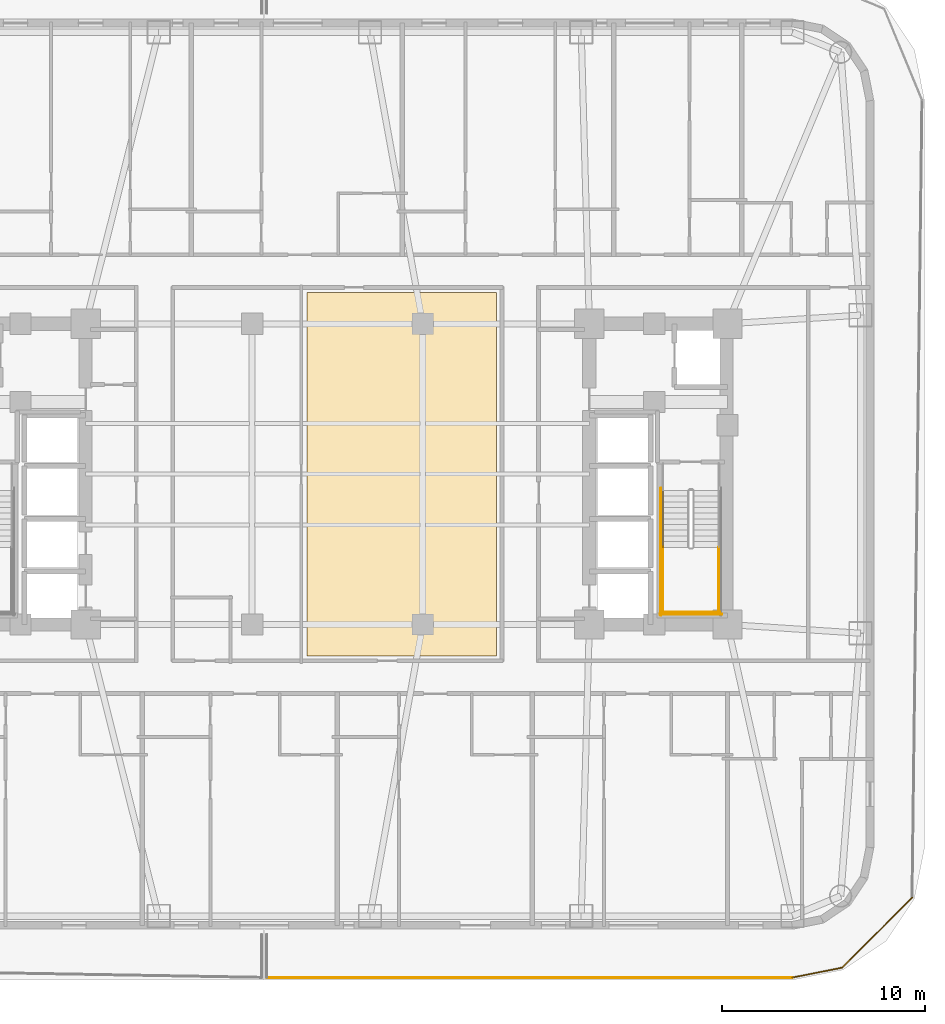
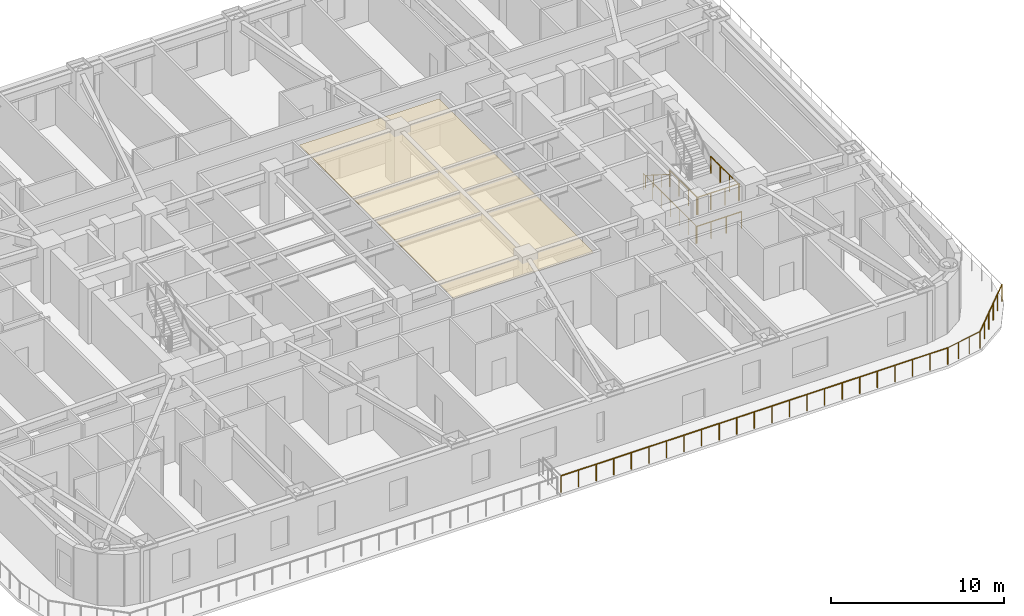
# One storey, part 12 of 14: 9 railings, 1 covering.
"""IFC4 building model written with IfcOpenShell, lengths in metres."""

from ifc_helpers import new_model, si_unit, direction, frame, origin, origin_2d, place, context, subcontext, project, spatial, polyline, circle, outline, extrude, material, layer, layer_set, type_object, element, save


model = new_model("IFC4")

# Units and contexts
model_context = context("Model", 3, precision=1e-05, world=origin(), true_north=direction((0.0, 1.0)))
body_context = subcontext(model_context, "Body", "Model", "MODEL_VIEW")
ifc_project = project(units=[si_unit("LENGTHUNIT", "METRE"), si_unit("AREAUNIT", "SQUARE_METRE"), si_unit("VOLUMEUNIT", "CUBIC_METRE"), si_unit("PLANEANGLEUNIT", "RADIAN"), si_unit("MASSUNIT", "GRAM", prefix="KILO")], contexts=[model_context])

# Site, building, storey
site_placement = place(None, origin())
site = spatial("IfcSite", under=ifc_project, at=site_placement, CompositionType="ELEMENT")
building_placement = place(site_placement, origin())
building = spatial("IfcBuilding", under=site, at=building_placement, Name="Voryun Gate Residences", CompositionType="ELEMENT")
storey_placement = place(building_placement, frame((0.0, 0.0, 53.300048828125)))
storey = spatial("IfcBuildingStorey", under=building, at=storey_placement, Name="L12", CompositionType="ELEMENT", Elevation=53.300048828125)

# Covering
ifc_material_1 = material(Name="Gypsum acoustic ceiling")
ifc_layer = layer(ifc_material_1, 0.02490234375, Name="COV_CEILING_ACOUSTIC")
ifc_layer_set = layer_set([ifc_layer], Name="Gypsum acoustic ceiling")
covering_type = type_object("IfcCoveringType", Name="COV_CEILING_ACOUSTIC", PredefinedType="CEILING", material=ifc_layer_set)
covering_placement = place(storey_placement, frame((0.0, 0.0, 3.39990234375)))
element("IfcCovering", 1, at=covering_placement, inside=storey, type_object=covering_type, Name="Acoustic ceiling CLG-L12-01", PredefinedType="CEILING", context=body_context, shape_type="SweptSolid", body=[
    extrude(outline(polyline([(-1.492919921875, 8.949951171875), (7.840087890625, 8.949951171875), (7.840087890625, -8.949951171875), (-1.492919921875, -8.949951171875), (-1.492919921875, 8.949951171875)])), origin(), (0.0, 0.0, 1.0), 0.025146484375),
])

# Railings
ifc_material_2 = material(Name="Anodised aluminium", Category="aluminium")
railing_type_1 = type_object("IfcRailingType", Name="RAIL_BALCONY_GUARD_1200", PredefinedType="GUARDRAIL", material=ifc_material_2)
railing_1_placement = place(storey_placement, frame((28.292236328125, -20.840576171875, 0.0)))
element("IfcRailing", 2, at=railing_1_placement, inside=storey, type_object=railing_type_1, Name="Terrace guard RL-L12-P2L1-04", PredefinedType="GUARDRAIL", context=body_context, shape_type="SweptSolid", body=[
    extrude(circle(Radius=0.02392578125, at=origin_2d()), frame((0.0, 0.0, 1.17578125), z_axis=(-0.707106781187, -0.707106781187, 0.0), x_axis=(0.707106781187, -0.707106781187, 0.0)), (0.0, 0.0, 1.0), 4.88134765625),
    extrude(circle(Radius=0.02099609375, at=origin_2d()), origin(), (0.0, 0.0, 1.0), 1.15185546875),
    extrude(circle(Radius=0.02099609375, at=origin_2d()), frame((-0.6904296875, -0.6904296875, 0.0)), (0.0, 0.0, 1.0), 1.15185546875),
    extrude(circle(Radius=0.02099609375, at=origin_2d()), frame((-1.380615234375, -1.380615234375, 0.0)), (0.0, 0.0, 1.0), 1.15185546875),
    extrude(circle(Radius=0.02099609375, at=origin_2d()), frame((-2.071044921875, -2.071044921875, 0.0)), (0.0, 0.0, 1.0), 1.15185546875),
    extrude(circle(Radius=0.02099609375, at=origin_2d()), frame((-2.76123046875, -2.76123046875, 0.0)), (0.0, 0.0, 1.0), 1.15185546875),
    extrude(circle(Radius=0.02099609375, at=origin_2d()), frame((-3.45166015625, -3.45166015625, 0.0)), (0.0, 0.0, 1.0), 1.15185546875),
])
railing_2_placement = place(storey_placement, frame((24.840576171875, -24.292236328125, 0.0)))
element("IfcRailing", 3, at=railing_2_placement, inside=storey, type_object=railing_type_1, Name="Terrace guard RL-L12-P2L1-05", PredefinedType="GUARDRAIL", context=body_context, shape_type="SweptSolid", body=[
    extrude(circle(Radius=0.02392578125, at=origin_2d()), frame((0.0, 0.0, 1.17578125), z_axis=(-0.980786676525, -0.195083303106, 0.0), x_axis=(0.195083303106, -0.980786676525, 0.0)), (0.0, 0.0, 1.0), 2.50048828125),
    extrude(circle(Radius=0.02099609375, at=origin_2d()), origin(), (0.0, 0.0, 1.0), 1.15185546875),
    extrude(circle(Radius=0.02099609375, at=origin_2d()), frame((-0.8173828125, -0.16259765625, 0.0)), (0.0, 0.0, 1.0), 1.15185546875),
    extrude(circle(Radius=0.02099609375, at=origin_2d()), frame((-1.635009765625, -0.3251953125, 0.0)), (0.0, 0.0, 1.0), 1.15185546875),
    extrude(circle(Radius=0.02099609375, at=origin_2d()), frame((-2.452392578125, -0.48779296875, 0.0)), (0.0, 0.0, 1.0), 1.15185546875),
])
railing_3_placement = place(storey_placement, frame((22.38818359375, -24.780029296875, 0.0)))
element("IfcRailing", 4, at=railing_3_placement, inside=storey, type_object=railing_type_1, Name="Terrace guard RL-L12-P2L1-06", PredefinedType="GUARDRAIL", context=body_context, shape_type="SweptSolid", body=[
    extrude(circle(Radius=0.02392578125, at=origin_2d()), frame((0.0, 0.0, 1.17578125), z_axis=(-1.0, 0.0, 0.0), x_axis=(0.0, -1.0, 0.0)), (0.0, 0.0, 1.0), 25.858154296875),
    extrude(circle(Radius=0.02099609375, at=origin_2d()), origin(), (0.0, 0.0, 1.0), 1.15185546875),
    extrude(circle(Radius=0.02099609375, at=origin_2d()), frame((-1.17529296875, 0.0, 0.0)), (0.0, 0.0, 1.0), 1.15185546875),
    extrude(circle(Radius=0.02099609375, at=origin_2d()), frame((-2.350830078125, 0.0, 0.0)), (0.0, 0.0, 1.0), 1.15185546875),
    extrude(circle(Radius=0.02099609375, at=origin_2d()), frame((-3.526123046875, 0.0, 0.0)), (0.0, 0.0, 1.0), 1.15185546875),
    extrude(circle(Radius=0.02099609375, at=origin_2d()), frame((-4.701416015625, 0.0, 0.0)), (0.0, 0.0, 1.0), 1.15185546875),
    extrude(circle(Radius=0.02099609375, at=origin_2d()), frame((-5.876953125, 0.0, 0.0)), (0.0, 0.0, 1.0), 1.15185546875),
    extrude(circle(Radius=0.02099609375, at=origin_2d()), frame((-7.05224609375, 0.0, 0.0)), (0.0, 0.0, 1.0), 1.15185546875),
    extrude(circle(Radius=0.02099609375, at=origin_2d()), frame((-8.2275390625, 0.0, 0.0)), (0.0, 0.0, 1.0), 1.15185546875),
    extrude(circle(Radius=0.02099609375, at=origin_2d()), frame((-9.403076171875, 0.0, 0.0)), (0.0, 0.0, 1.0), 1.15185546875),
    extrude(circle(Radius=0.02099609375, at=origin_2d()), frame((-10.578369140625, 0.0, 0.0)), (0.0, 0.0, 1.0), 1.15185546875),
    extrude(circle(Radius=0.02099609375, at=origin_2d()), frame((-11.753662109375, 0.0, 0.0)), (0.0, 0.0, 1.0), 1.15185546875),
    extrude(circle(Radius=0.02099609375, at=origin_2d()), frame((-12.92919921875, 0.0, 0.0)), (0.0, 0.0, 1.0), 1.15185546875),
    extrude(circle(Radius=0.02099609375, at=origin_2d()), frame((-14.1044921875, 0.0, 0.0)), (0.0, 0.0, 1.0), 1.15185546875),
    extrude(circle(Radius=0.02099609375, at=origin_2d()), frame((-15.27978515625, 0.0, 0.0)), (0.0, 0.0, 1.0), 1.15185546875),
    extrude(circle(Radius=0.02099609375, at=origin_2d()), frame((-16.455078125, 0.0, 0.0)), (0.0, 0.0, 1.0), 1.15185546875),
    extrude(circle(Radius=0.02099609375, at=origin_2d()), frame((-17.630615234375, 0.0, 0.0)), (0.0, 0.0, 1.0), 1.15185546875),
    extrude(circle(Radius=0.02099609375, at=origin_2d()), frame((-18.805908203125, 0.0, 0.0)), (0.0, 0.0, 1.0), 1.15185546875),
    extrude(circle(Radius=0.02099609375, at=origin_2d()), frame((-19.981201171875, 0.0, 0.0)), (0.0, 0.0, 1.0), 1.15185546875),
    extrude(circle(Radius=0.02099609375, at=origin_2d()), frame((-21.15673828125, 0.0, 0.0)), (0.0, 0.0, 1.0), 1.15185546875),
    extrude(circle(Radius=0.02099609375, at=origin_2d()), frame((-22.33203125, 0.0, 0.0)), (0.0, 0.0, 1.0), 1.15185546875),
    extrude(circle(Radius=0.02099609375, at=origin_2d()), frame((-23.50732421875, 0.0, 0.0)), (0.0, 0.0, 1.0), 1.15185546875),
    extrude(circle(Radius=0.02099609375, at=origin_2d()), frame((-24.682861328125, 0.0, 0.0)), (0.0, 0.0, 1.0), 1.15185546875),
    extrude(circle(Radius=0.02099609375, at=origin_2d()), frame((-25.858154296875, 0.0, 0.0)), (0.0, 0.0, 1.0), 1.15185546875),
])
ifc_material_3 = material(Name="Painted steel", Category="steel")
railing_type_2 = type_object("IfcRailingType", Name="RAIL_STAIR_GUARD_1200", PredefinedType="GUARDRAIL", material=ifc_material_3)
for number, where, name in (
    (5, (16.02490234375, -3.60009765625, 1.949951171875), "L12 ST-E1 stair guard 3"),
    (6, (18.77490234375, -3.60009765625, 1.949951171875), "L12 ST-E1 stair guard 4"),
):
    element("IfcRailing", number, at=place(storey_placement, frame(where)), inside=storey, type_object=railing_type_2, Name=name, PredefinedType="GUARDRAIL", context=body_context, shape_type="SweptSolid", body=[
        extrude(circle(Radius=0.02392578125, at=origin_2d()), frame((0.0, 0.0, 1.17578125), z_axis=(0.0, -1.0, 0.0), x_axis=(1.0, 0.0, 0.0)), (0.0, 0.0, 1.0), 3.25),
        extrude(circle(Radius=0.02099609375, at=origin_2d()), origin(), (0.0, 0.0, 1.0), 1.15185546875),
        extrude(circle(Radius=0.02099609375, at=origin_2d()), frame((0.0, -1.083251953125, 0.0)), (0.0, 0.0, 1.0), 1.15185546875),
        extrude(circle(Radius=0.02099609375, at=origin_2d()), frame((0.0, -2.166748046875, 0.0)), (0.0, 0.0, 1.0), 1.15185546875),
        extrude(circle(Radius=0.02099609375, at=origin_2d()), frame((0.0, -3.25, 0.0)), (0.0, 0.0, 1.0), 1.15185546875),
    ])
railing_4_placement = place(storey_placement, frame((15.97509765625, -6.800048828125, 1.949951171875)))
element("IfcRailing", 7, at=railing_4_placement, inside=storey, type_object=railing_type_2, Name="L12 ST-E1 stair guard 5", PredefinedType="GUARDRAIL", context=body_context, shape_type="SweptSolid", body=[
    extrude(circle(Radius=0.02392578125, at=origin_2d()), frame((0.0, 0.0, 1.17578125), z_axis=(1.0, 0.0, 0.0), x_axis=(0.0, 1.0, 0.0)), (0.0, 0.0, 1.0), 2.849853515625),
    extrude(circle(Radius=0.02099609375, at=origin_2d()), origin(), (0.0, 0.0, 1.0), 1.15185546875),
    extrude(circle(Radius=0.02099609375, at=origin_2d()), frame((0.949951171875, 0.0, 0.0)), (0.0, 0.0, 1.0), 1.15185546875),
    extrude(circle(Radius=0.02099609375, at=origin_2d()), frame((1.89990234375, 0.0, 0.0)), (0.0, 0.0, 1.0), 1.15185546875),
    extrude(circle(Radius=0.02099609375, at=origin_2d()), frame((2.849853515625, 0.0, 0.0)), (0.0, 0.0, 1.0), 1.15185546875),
])
railing_5_placement = place(storey_placement, frame((15.925048828125, -0.699951171875, 0.0)))
element("IfcRailing", 8, at=railing_5_placement, inside=storey, type_object=railing_type_2, Name="L12 ST-E1 stair guard 10", PredefinedType="GUARDRAIL", context=body_context, shape_type="SweptSolid", body=[
    extrude(circle(Radius=0.02392578125, at=origin_2d()), frame((0.0, 0.0, 1.17578125), z_axis=(0.0, -1.0, 0.0), x_axis=(1.0, 0.0, 0.0)), (0.0, 0.0, 1.0), 6.25),
    extrude(circle(Radius=0.02099609375, at=origin_2d()), origin(), (0.0, 0.0, 1.0), 1.15185546875),
    extrude(circle(Radius=0.02099609375, at=origin_2d()), frame((0.0, -1.041748046875, 0.0)), (0.0, 0.0, 1.0), 1.15185546875),
    extrude(circle(Radius=0.02099609375, at=origin_2d()), frame((0.0, -2.083251953125, 0.0)), (0.0, 0.0, 1.0), 1.15185546875),
    extrude(circle(Radius=0.02099609375, at=origin_2d()), frame((0.0, -3.125, 0.0)), (0.0, 0.0, 1.0), 1.15185546875),
    extrude(circle(Radius=0.02099609375, at=origin_2d()), frame((0.0, -4.166748046875, 0.0)), (0.0, 0.0, 1.0), 1.15185546875),
    extrude(circle(Radius=0.02099609375, at=origin_2d()), frame((0.0, -5.208251953125, 0.0)), (0.0, 0.0, 1.0), 1.15185546875),
    extrude(circle(Radius=0.02099609375, at=origin_2d()), frame((0.0, -6.25, 0.0)), (0.0, 0.0, 1.0), 1.15185546875),
])
railing_6_placement = place(storey_placement, frame((15.875, -6.89990234375, 0.0)))
element("IfcRailing", 9, at=railing_6_placement, inside=storey, type_object=railing_type_2, Name="L12 ST-E1 stair guard 12", PredefinedType="GUARDRAIL", context=body_context, shape_type="SweptSolid", body=[
    extrude(circle(Radius=0.02392578125, at=origin_2d()), frame((0.0, 0.0, 1.17578125), z_axis=(1.0, 0.0, 0.0), x_axis=(0.0, 1.0, 0.0)), (0.0, 0.0, 1.0), 3.050048828125),
    extrude(circle(Radius=0.02099609375, at=origin_2d()), origin(), (0.0, 0.0, 1.0), 1.15185546875),
    extrude(circle(Radius=0.02099609375, at=origin_2d()), frame((1.0166015625, 0.0, 0.0)), (0.0, 0.0, 1.0), 1.15185546875),
    extrude(circle(Radius=0.02099609375, at=origin_2d()), frame((2.033447265625, 0.0, 0.0)), (0.0, 0.0, 1.0), 1.15185546875),
    extrude(circle(Radius=0.02099609375, at=origin_2d()), frame((3.050048828125, 0.0, 0.0)), (0.0, 0.0, 1.0), 1.15185546875),
])
ifc_material_4 = material(Name="Painted steel", Category="steel")
railing_type_3 = type_object("IfcRailingType", Name="RAIL_STAIR_HANDRAIL_900", PredefinedType="HANDRAIL", material=ifc_material_4)
railing_7_placement = place(storey_placement, frame((16.02490234375, -0.800048828125, 0.17724609375)))
element("IfcRailing", 10, at=railing_7_placement, inside=storey, type_object=railing_type_3, Name="L12 ST-E1 stair handrail 1", PredefinedType="HANDRAIL", context=body_context, shape_type="SweptSolid", body=[
    extrude(circle(Radius=0.02392578125, at=origin_2d()), frame((0.0, 0.0, 0.8759765625), z_axis=(0.0, -0.844908973607, 0.534910110503), x_axis=(1.0, 0.0, 0.0)), (0.0, 0.0, 1.0), 3.31396484375),
    extrude(circle(Radius=0.02099609375, at=origin_2d()), origin(), (0.0, 0.0, 1.0), 0.851806640625),
    extrude(circle(Radius=0.02099609375, at=origin_2d()), frame((0.0, -0.933349609375, 0.5908203125)), (0.0, 0.0, 1.0), 0.851806640625),
    extrude(circle(Radius=0.02099609375, at=origin_2d()), frame((0.0, -1.86669921875, 1.181884765625)), (0.0, 0.0, 1.0), 0.851806640625),
    extrude(circle(Radius=0.02099609375, at=origin_2d()), frame((0.0, -2.800048828125, 1.772705078125)), (0.0, 0.0, 1.0), 0.851806640625),
])

save(model, "model.ifc")
